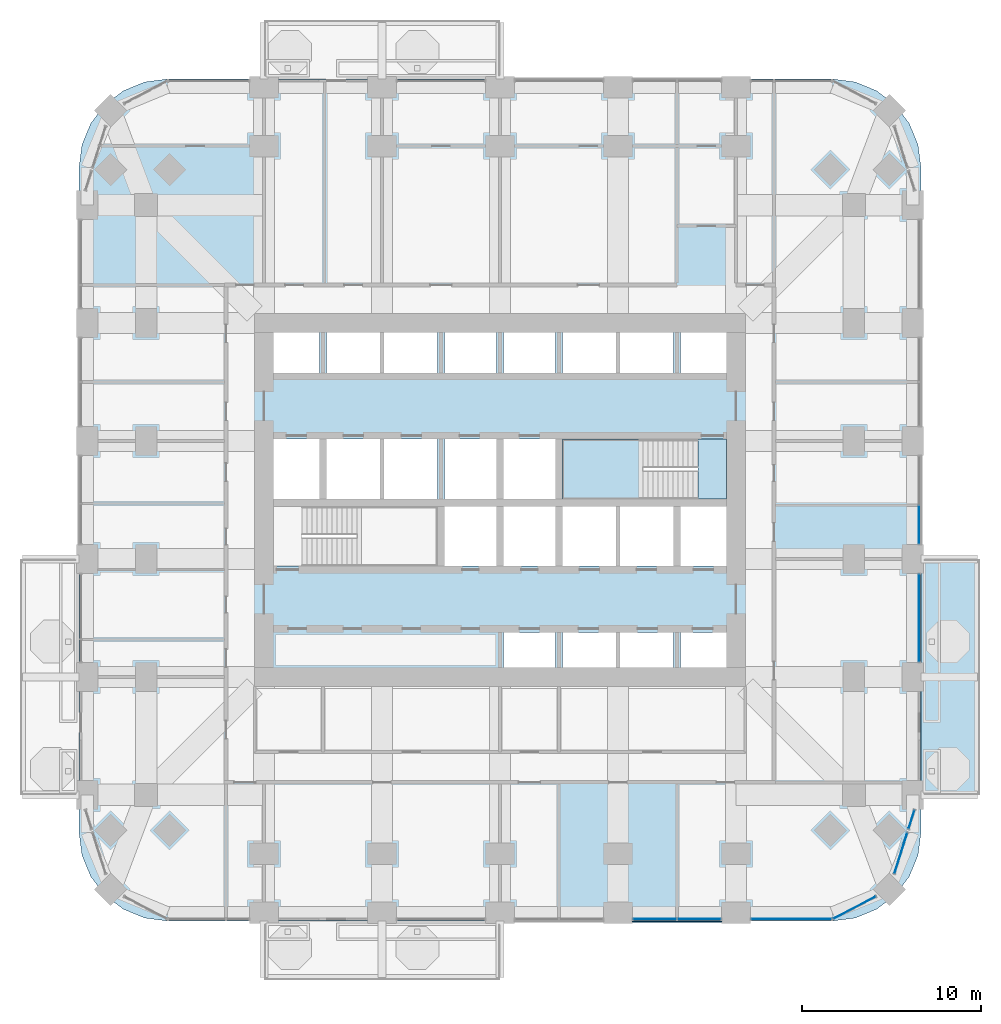
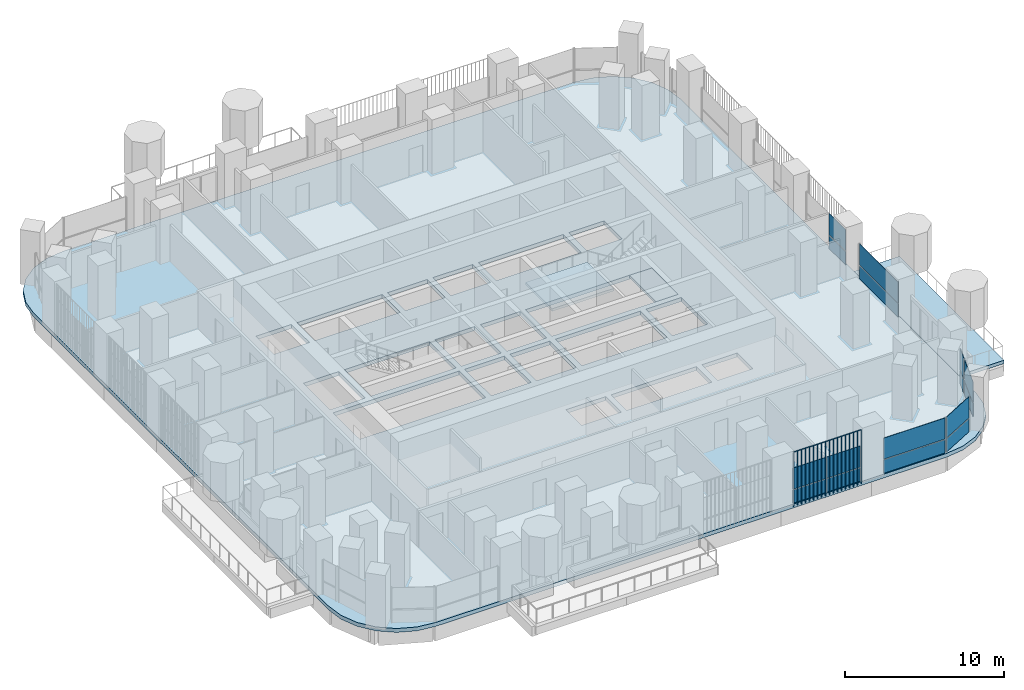
# One storey, part 9 of 21: 17 plates, 4 slabs, 8 elements without a shape of their own.
"""IFC4 building model written with IfcOpenShell, lengths in metres."""

import ifcopenshell
import ifcopenshell.guid

model = None  # the IFC model being written
_history = None  # IfcOwnerHistory: only IFC2X3 demands one
_inside = {}  # id of a spatial element -> (the spatial element, [elements in it])
_under = {}  # id of a project, library or spatial element -> (it, [spatial elements below it])
_declared = {}  # id of a project -> (the project, [libraries it declares])
_typed = {}  # id of a type object -> (the type object, [elements of that type])
_made_of = {}  # id of a material, layer set ... -> (it, [elements and type objects made of it])


def new_model(schema):
    """Start an empty IFC model of exactly this schema.

    Asked for "IFC4X3", IfcOpenShell would pick the latest addendum, in which some entities
    have other attributes; the version numbers below select the first issue.
    IFC2X3 requires an IfcOwnerHistory on every rooted entity: one is made here for all.
    """
    global model, _history
    if schema == "IFC4X3":
        model = ifcopenshell.file(schema_version=(4, 3, 0, 0))
    else:
        model = ifcopenshell.file(schema=schema)
    _inside.clear()
    _under.clear()
    _declared.clear()
    _typed.clear()
    _made_of.clear()
    _history = None
    if model.schema == "IFC2X3":
        org = make("IfcOrganization", Name="unknown")
        user = make(
            "IfcPersonAndOrganization",
            ThePerson=make("IfcPerson", FamilyName="unknown"),
            TheOrganization=org,
        )
        app = make(
            "IfcApplication",
            ApplicationDeveloper=org,
            Version="unknown",
            ApplicationFullName="unknown",
            ApplicationIdentifier="unknown",
        )
        _history = make(
            "IfcOwnerHistory",
            OwningUser=user,
            OwningApplication=app,
            ChangeAction="ADDED",
            CreationDate=0,
        )
    return model


def make(cls, **values):
    """One entity of the class cls with the attributes given. An attribute that is None is left unset."""
    return model.create_entity(
        cls, **{name: value for name, value in values.items() if value is not None}
    )


def rooted(cls, **values):
    """An entity with a GlobalId (a new one), such as an element, a storey or a relation."""
    return make(cls, GlobalId=ifcopenshell.guid.new(), OwnerHistory=_history, **values)


def si_unit(unit_type, name, prefix=None):
    """IfcSIUnit, for example si_unit("LENGTHUNIT", "METRE", prefix="MILLI")."""
    return make("IfcSIUnit", UnitType=unit_type, Prefix=prefix, Name=name)


def assignment(units):
    """IfcUnitAssignment: the units of a project."""
    return None if units is None else make("IfcUnitAssignment", Units=units)


def point(xyz):
    """IfcCartesianPoint."""
    return None if xyz is None else make("IfcCartesianPoint", Coordinates=xyz)


def direction(xyz):
    """IfcDirection."""
    return None if xyz is None else make("IfcDirection", DirectionRatios=xyz)


def frame(location, z_axis=None, x_axis=None):
    """IfcAxis2Placement3D, a coordinate frame: its origin and axes. An axis left out is left unset."""
    return make(
        "IfcAxis2Placement3D",
        Location=point(location),
        Axis=direction(z_axis),
        RefDirection=direction(x_axis),
    )


def frame_2d(location, x_axis=None):
    """IfcAxis2Placement2D, a coordinate frame in the plane: its origin and x axis."""
    return make(
        "IfcAxis2Placement2D", Location=point(location), RefDirection=direction(x_axis)
    )


def origin():
    """The frame at (0, 0, 0) with its axes left unset."""
    return frame((0.0, 0.0, 0.0))


def origin_2d():
    """The frame at (0, 0) in the plane with its x axis left unset."""
    return frame_2d((0.0, 0.0))


def place(relative_to, where):
    """IfcLocalPlacement: puts the frame where relative to a parent placement (None: the world)."""
    return make(
        "IfcLocalPlacement", PlacementRelTo=relative_to, RelativePlacement=where
    )


def context(
    kind, dimensions, precision=None, world=None, true_north=None, identifier=None
):
    """IfcGeometricRepresentationContext, for example the 3D "Model" context."""
    return make(
        "IfcGeometricRepresentationContext",
        ContextIdentifier=identifier,
        ContextType=kind,
        CoordinateSpaceDimension=dimensions,
        Precision=precision,
        WorldCoordinateSystem=world,
        TrueNorth=true_north,
    )


def subcontext(parent, identifier, kind, view, scale=None):
    """IfcGeometricRepresentationSubContext, for example "Body" below "Model"."""
    return make(
        "IfcGeometricRepresentationSubContext",
        ContextIdentifier=identifier,
        ContextType=kind,
        ParentContext=parent,
        TargetScale=scale,
        TargetView=view,
    )


def project(units=None, contexts=None):
    """IfcProject with its units and contexts."""
    return rooted(
        "IfcProject",
        Name="project",
        RepresentationContexts=contexts,
        UnitsInContext=assignment(units),
    )


def spatial(cls, under=None, at=None, **own):
    """A site, building, storey or space (cls), placed at a placement, below another one or the project."""
    s = rooted(cls, ObjectPlacement=at, **own)
    if under is not None:
        _under.setdefault(under.id(), (under, []))[1].append(s)
    return s


def polyline(points):
    """IfcPolyline through the points."""
    return make("IfcPolyline", Points=[point(p) for p in points])


def profile(cls, at=None, kind="AREA", **sizes):
    """A parametric profile (cls). Its sizes go by their IFC names, for example OverallWidth=200.0."""
    return make(cls, ProfileType=kind, Position=at, **sizes)


def rectangle(**sizes):
    """IfcRectangleProfileDef."""
    return profile("IfcRectangleProfileDef", **sizes)


def outline(outer, holes=None, kind="AREA"):
    """IfcArbitraryClosedProfileDef: a profile drawn as a closed curve; with holes, ...WithVoids."""
    if holes is None:
        return make("IfcArbitraryClosedProfileDef", ProfileType=kind, OuterCurve=outer)
    return make(
        "IfcArbitraryProfileDefWithVoids",
        ProfileType=kind,
        OuterCurve=outer,
        InnerCurves=holes,
    )


def extrude(swept, where, along, depth):
    """IfcExtrudedAreaSolid: the profile swept, set in the frame where, extruded along a direction by depth."""
    return make(
        "IfcExtrudedAreaSolid",
        SweptArea=swept,
        Position=where,
        ExtrudedDirection=direction(along),
        Depth=depth,
    )


def shape(context_of_items, identifier, shape_type, items):
    """IfcShapeRepresentation: the items that make up one representation, for example the "Body"."""
    return make(
        "IfcShapeRepresentation",
        ContextOfItems=context_of_items,
        RepresentationIdentifier=identifier,
        RepresentationType=shape_type,
        Items=items,
    )


def material(Name=None, Category=None):
    """IfcMaterial."""
    return make("IfcMaterial", Name=Name, Category=Category)


def layer(
    of_material, thickness, ventilated=None, Name=None, Category=None, Priority=None
):
    """IfcMaterialLayer: one layer of a wall or slab, of a material (None: an air gap)."""
    return make(
        "IfcMaterialLayer",
        Material=of_material,
        LayerThickness=thickness,
        IsVentilated=ventilated,
        Name=Name,
        Category=Category,
        Priority=Priority,
    )


def layer_set(layers, Name=None):
    """IfcMaterialLayerSet."""
    return make("IfcMaterialLayerSet", MaterialLayers=layers, LayerSetName=Name)


def made_of(thing, what):
    """Note that an element or type object is made of a material, layer set ...; save() writes the relation."""
    if what is not None:
        _made_of.setdefault(what.id(), (what, []))[1].append(thing)
    return thing


def type_object(cls, material=None, **own):
    """A type object (cls), such as IfcWallType, which elements share."""
    return made_of(rooted(cls, **own), material)


def element(
    cls,
    number,
    at=None,
    inside=None,
    cuts=None,
    type_object=None,
    material=None,
    context=None,
    identifier="Body",
    shape_type=None,
    held_by="IfcProductDefinitionShape",
    body=None,
    shapes=None,
    **own,
):
    """One element of the class cls, such as IfcWall. Its Tag is "e" and its number.

    at: its placement. inside: the storey or other place that contains it. cuts: it is an
    opening in that element (IfcRelVoidsElement). A single representation is given by context,
    identifier, shape_type and body (its items); several are given by shapes. held_by: the class
    of the entity that holds the representations. save() writes the other relations.
    """
    e = rooted(cls, Tag="e%d" % number, ObjectPlacement=at, **own)
    if body is not None:
        shapes = [shape(context, identifier, shape_type, body)]
    if shapes is not None:
        e.Representation = make(held_by, Representations=shapes)
    if inside is not None:
        _inside.setdefault(inside.id(), (inside, []))[1].append(e)
    if cuts is not None:
        rooted(
            "IfcRelVoidsElement", RelatingBuildingElement=cuts, RelatedOpeningElement=e
        )
    if type_object is not None:
        _typed.setdefault(type_object.id(), (type_object, []))[1].append(e)
    return made_of(e, material)


def aggregate(whole, parts):
    """IfcRelAggregates: a whole, such as a stair, and the parts it consists of."""
    return rooted("IfcRelAggregates", RelatingObject=whole, RelatedObjects=parts)


def save(model, path):
    """Write the relations noted so far, then the file.

    IfcRelAggregates (storeys below a building ...), IfcRelContainedInSpatialStructure (elements
    in a storey), IfcRelDefinesByType, IfcRelAssociatesMaterial and IfcRelDeclares: one each for
    every whole, place, type object, material and project.
    """
    for whole, parts in _under.values():
        aggregate(whole, parts)
    for where, things in _inside.values():
        rooted(
            "IfcRelContainedInSpatialStructure",
            RelatedElements=things,
            RelatingStructure=where,
        )
    for kind, things in _typed.values():
        rooted("IfcRelDefinesByType", RelatedObjects=things, RelatingType=kind)
    for what, things in _made_of.values():
        rooted("IfcRelAssociatesMaterial", RelatedObjects=things, RelatingMaterial=what)
    for by, libraries in _declared.values():
        rooted("IfcRelDeclares", RelatingContext=by, RelatedDefinitions=libraries)
    model.write(path)


model = new_model("IFC4")

# Units and contexts
model_context = context("Model", 3, precision=1e-05, world=origin(), true_north=direction((0.0, 1.0)))
body_context = subcontext(model_context, "Body", "Model", "MODEL_VIEW")
ifc_project = project(units=[si_unit("LENGTHUNIT", "METRE"), si_unit("AREAUNIT", "SQUARE_METRE"), si_unit("VOLUMEUNIT", "CUBIC_METRE"), si_unit("PLANEANGLEUNIT", "RADIAN"), si_unit("MASSUNIT", "GRAM", prefix="KILO")], contexts=[model_context])

# Site, building, storey
site_placement = place(None, origin())
site = spatial("IfcSite", under=ifc_project, at=site_placement, CompositionType="ELEMENT")
building_placement = place(site_placement, origin())
building = spatial("IfcBuilding", under=site, at=building_placement, Name="Cobogo Forest Laboratory Tower", CompositionType="ELEMENT")
storey_placement = place(building_placement, frame((0.0, 0.0, 107.39990234375)))
storey = spatial("IfcBuildingStorey", under=building, at=storey_placement, Name="L24", CompositionType="ELEMENT", Elevation=107.39990234375)

# Slabs
ifc_material_1 = material(Name="Concrete HA-40 (C40/50)", Category="concrete")
ifc_layer_1 = layer(ifc_material_1, 0.25)
ifc_layer_set_1 = layer_set([ifc_layer_1], Name="Balcony slab 250")
slab_type_1 = type_object("IfcSlabType", Name="Balcony slab 250", PredefinedType="FLOOR", material=ifc_layer_set_1)
slab_1_placement = place(storey_placement, frame((0.0, 0.0, -0.25)))
element("IfcSlab", 1, at=slab_1_placement, inside=storey, type_object=slab_type_1, Name="Balcony BAL-E1 L24", PredefinedType="FLOOR", context=body_context, shape_type="SweptSolid", body=[
    extrude(outline(polyline([(49.949951171875, 6.60009765625), (53.25, 6.60009765625), (53.25, 19.800048828125), (49.949951171875, 19.800048828125), (49.949951171875, 6.60009765625)])), origin(), (0.0, 0.0, 1.0), 0.25),
])
ifc_layer_2 = layer(ifc_material_1, 0.300048828125)
ifc_layer_set_2 = layer_set([ifc_layer_2], Name="Floor slab 300")
slab_type_2 = type_object("IfcSlabType", Name="Floor slab 300", PredefinedType="FLOOR", material=ifc_layer_set_2)
slab_2_placement = place(storey_placement, frame((0.0, 0.0, -0.2998046875)))
element("IfcSlab", 2, at=slab_2_placement, inside=storey, type_object=slab_type_2, Name="L24 floor slab", PredefinedType="FLOOR", context=body_context, shape_type="SweptSolid", body=[
    extrude(outline(polyline([(45.0, -0.449951171875), (46.28125, -0.28125), (47.47509765625, 0.213134765625), (48.500244140625, 0.999755859375), (49.286865234375, 2.02490234375), (49.78125, 3.21875), (49.949951171875, 4.5), (49.949951171875, 41.699951171875), (49.78125, 42.981201171875), (49.286865234375, 44.175048828125), (48.500244140625, 45.2001953125), (47.47509765625, 45.98681640625), (46.28125, 46.4814453125), (45.0, 46.64990234375), (7.800048828125, 46.64990234375), (6.518798828125, 46.4814453125), (5.324951171875, 45.98681640625), (4.2998046875, 45.2001953125), (3.51318359375, 44.175048828125), (3.0185546875, 42.981201171875), (2.85009765625, 41.699951171875), (2.85009765625, 4.5), (3.0185546875, 3.21875), (3.51318359375, 2.02490234375), (4.2998046875, 0.999755859375), (5.324951171875, 0.213134765625), (6.518798828125, -0.28125), (7.800048828125, -0.449951171875), (45.0, -0.449951171875)]), holes=[polyline([(29.5, 13.72509765625), (26.60009765625, 13.72509765625), (26.60009765625, 15.699951171875), (29.5, 15.699951171875), (29.5, 13.72509765625)]), polyline([(36.10009765625, 15.699951171875), (36.10009765625, 13.72509765625), (29.89990234375, 13.72509765625), (29.89990234375, 15.699951171875), (36.10009765625, 15.699951171875)]), polyline([(36.5, 13.72509765625), (36.5, 15.699951171875), (39.074951171875, 15.699951171875), (39.074951171875, 13.72509765625), (36.5, 13.72509765625)]), polyline([(13.72509765625, 19.39990234375), (13.72509765625, 22.75), (22.89990234375, 22.75), (22.89990234375, 19.39990234375), (13.72509765625, 19.39990234375)]), polyline([(23.300048828125, 19.39990234375), (23.300048828125, 22.75), (26.199951171875, 22.75), (26.199951171875, 19.39990234375), (23.300048828125, 19.39990234375)]), polyline([(29.5, 19.39990234375), (26.60009765625, 19.39990234375), (26.60009765625, 22.75), (29.5, 22.75), (29.5, 19.39990234375)]), polyline([(36.10009765625, 22.75), (36.10009765625, 19.39990234375), (29.89990234375, 19.39990234375), (29.89990234375, 22.75), (36.10009765625, 22.75)]), polyline([(39.074951171875, 19.39990234375), (36.5, 19.39990234375), (36.5, 22.75), (39.074951171875, 22.75), (39.074951171875, 19.39990234375)]), polyline([(16.300048828125, 23.14990234375), (13.72509765625, 23.14990234375), (13.72509765625, 26.5), (16.300048828125, 26.5), (16.300048828125, 23.14990234375)]), polyline([(22.89990234375, 26.5), (22.89990234375, 23.14990234375), (16.699951171875, 23.14990234375), (16.699951171875, 26.5), (22.89990234375, 26.5)]), polyline([(26.199951171875, 23.14990234375), (23.300048828125, 23.14990234375), (23.300048828125, 26.5), (26.199951171875, 26.5), (26.199951171875, 23.14990234375)]), polyline([(26.60009765625, 23.14990234375), (26.60009765625, 26.5), (29.5, 26.5), (29.5, 23.14990234375), (26.60009765625, 23.14990234375)]), polyline([(29.89990234375, 23.14990234375), (29.89990234375, 26.5), (39.074951171875, 26.5), (39.074951171875, 23.14990234375), (29.89990234375, 23.14990234375)]), polyline([(13.72509765625, 30.199951171875), (13.72509765625, 32.47509765625), (16.300048828125, 32.47509765625), (16.300048828125, 30.199951171875), (13.72509765625, 30.199951171875)]), polyline([(22.89990234375, 32.47509765625), (22.89990234375, 30.199951171875), (16.699951171875, 30.199951171875), (16.699951171875, 32.47509765625), (22.89990234375, 32.47509765625)]), polyline([(23.300048828125, 30.199951171875), (23.300048828125, 32.47509765625), (26.199951171875, 32.47509765625), (26.199951171875, 30.199951171875), (23.300048828125, 30.199951171875)]), polyline([(26.60009765625, 30.199951171875), (26.60009765625, 32.47509765625), (29.5, 32.47509765625), (29.5, 30.199951171875), (26.60009765625, 30.199951171875)]), polyline([(36.10009765625, 32.47509765625), (36.10009765625, 30.199951171875), (29.89990234375, 30.199951171875), (29.89990234375, 32.47509765625), (36.10009765625, 32.47509765625)]), polyline([(36.5, 30.199951171875), (36.5, 32.47509765625), (39.074951171875, 32.47509765625), (39.074951171875, 30.199951171875), (36.5, 30.199951171875)])]), origin(), (0.0, 0.0, 1.0), 0.2998046875),
])

# Curtain wall, plates
ifc_material_2 = material(Name="Aluminium curtain wall", Category="aluminium")
curtain_wall_type = type_object("IfcCurtainWallType", Name="CW-1 unitised curtain wall, clear glazing, laboratory floors zones A and B", PredefinedType="USERDEFINED", material=ifc_material_2)
curtain_wall_1_placement = place(storey_placement, origin())
curtain_wall_1 = element("IfcCurtainWall", 3, at=curtain_wall_1_placement, inside=storey, type_object=curtain_wall_type, Name="Curtain wall 05 L24", ObjectType="UNITISED CURTAIN WALL", PredefinedType="USERDEFINED")
ifc_material_3 = material(Name="Clear insulated glass", Category="glass")
ifc_layer_3 = layer(ifc_material_3, 0.028076171875)
ifc_layer_set_3 = layer_set([ifc_layer_3], Name="GP-1 clear insulated glass unit 28")
plate_type_1 = type_object("IfcPlateType", Name="GP-1 clear insulated glass unit 28", PredefinedType="CURTAIN_PANEL", material=ifc_layer_set_3)
plate_1_placement = place(storey_placement, frame((35.06494140625, -0.35009765625, 0.0), z_axis=(0.0, 0.0, 1.0), x_axis=(1.0, 0.0, 0.0)))
plate_1 = element("IfcPlate", 4, at=plate_1_placement, type_object=plate_type_1, Name="CW-1 panel 1.1", PredefinedType="CURTAIN_PANEL", context=body_context, shape_type="SweptSolid", body=[
    extrude(rectangle(XDim=2.409912109375, YDim=0.028076171875, at=origin_2d()), origin(), (0.0, 0.0, 1.0), 1.02001953125),
])
plate_2_placement = place(storey_placement, frame((35.06494140625, -0.35009765625, 1.080078125), z_axis=(0.0, 0.0, 1.0), x_axis=(1.0, 0.0, 0.0)))
plate_2 = element("IfcPlate", 5, at=plate_2_placement, type_object=plate_type_1, Name="CW-1 panel 1.2", PredefinedType="CURTAIN_PANEL", context=body_context, shape_type="SweptSolid", body=[
    extrude(rectangle(XDim=2.409912109375, YDim=0.028076171875, at=origin_2d()), origin(), (0.0, 0.0, 1.0), 1.6201171875),
])
plate_3_placement = place(storey_placement, frame((37.534912109375, -0.35009765625, 0.0), z_axis=(0.0, 0.0, 1.0), x_axis=(1.0, 0.0, 0.0)))
plate_3 = element("IfcPlate", 6, at=plate_3_placement, type_object=plate_type_1, Name="CW-1 panel 2.1", PredefinedType="CURTAIN_PANEL", context=body_context, shape_type="SweptSolid", body=[
    extrude(rectangle(XDim=2.409912109375, YDim=0.028076171875, at=origin_2d()), origin(), (0.0, 0.0, 1.0), 1.02001953125),
])
plate_4_placement = place(storey_placement, frame((37.534912109375, -0.35009765625, 1.080078125), z_axis=(0.0, 0.0, 1.0), x_axis=(1.0, 0.0, 0.0)))
plate_4 = element("IfcPlate", 7, at=plate_4_placement, type_object=plate_type_1, Name="CW-1 panel 2.2", PredefinedType="CURTAIN_PANEL", context=body_context, shape_type="SweptSolid", body=[
    extrude(rectangle(XDim=2.409912109375, YDim=0.028076171875, at=origin_2d()), origin(), (0.0, 0.0, 1.0), 1.6201171875),
])
aggregate(curtain_wall_1, [plate_1, plate_2, plate_3, plate_4])

curtain_wall_2_placement = place(storey_placement, origin())
curtain_wall_2 = element("IfcCurtainWall", 8, at=curtain_wall_2_placement, inside=storey, type_object=curtain_wall_type, Name="Curtain wall 06 L24", ObjectType="UNITISED CURTAIN WALL", PredefinedType="USERDEFINED")
plate_5_placement = place(storey_placement, frame((42.699951171875, -0.35009765625, 0.0), z_axis=(0.0, 0.0, 1.0), x_axis=(1.0, 0.0, 0.0)))
plate_5 = element("IfcPlate", 9, at=plate_5_placement, type_object=plate_type_1, Name="CW-1 panel 1.1", PredefinedType="CURTAIN_PANEL", context=body_context, shape_type="SweptSolid", body=[
    extrude(rectangle(XDim=4.47998046875, YDim=0.028076171875, at=origin_2d()), origin(), (0.0, 0.0, 1.0), 1.02001953125),
])
plate_6_placement = place(storey_placement, frame((42.699951171875, -0.35009765625, 1.080078125), z_axis=(0.0, 0.0, 1.0), x_axis=(1.0, 0.0, 0.0)))
plate_6 = element("IfcPlate", 10, at=plate_6_placement, type_object=plate_type_1, Name="CW-1 panel 1.2", PredefinedType="CURTAIN_PANEL", context=body_context, shape_type="SweptSolid", body=[
    extrude(rectangle(XDim=4.47998046875, YDim=0.028076171875, at=origin_2d()), origin(), (0.0, 0.0, 1.0), 1.6201171875),
])
aggregate(curtain_wall_2, [plate_5, plate_6])

curtain_wall_3_placement = place(storey_placement, origin())
curtain_wall_3 = element("IfcCurtainWall", 11, at=curtain_wall_3_placement, inside=storey, type_object=curtain_wall_type, Name="Curtain wall 07 L24", ObjectType="UNITISED CURTAIN WALL", PredefinedType="USERDEFINED")
plate_7_placement = place(storey_placement, frame((46.229248046875, 0.29443359375, 0.0), z_axis=(0.0, 0.0, 1.0), x_axis=(0.885686547075, 0.464283685186, 0.0)))
plate_7 = element("IfcPlate", 12, at=plate_7_placement, type_object=plate_type_1, Name="CW-1 panel 1.1", PredefinedType="CURTAIN_PANEL", context=body_context, shape_type="SweptSolid", body=[
    extrude(rectangle(XDim=2.655517578125, YDim=0.028076171875, at=origin_2d()), origin(), (0.0, 0.0, 1.0), 1.02001953125),
])
plate_8_placement = place(storey_placement, frame((46.229248046875, 0.29443359375, 1.080078125), z_axis=(0.0, 0.0, 1.0), x_axis=(0.885686547075, 0.464283685186, 0.0)))
plate_8 = element("IfcPlate", 13, at=plate_8_placement, type_object=plate_type_1, Name="CW-1 panel 1.2", PredefinedType="CURTAIN_PANEL", context=body_context, shape_type="SweptSolid", body=[
    extrude(rectangle(XDim=2.655517578125, YDim=0.028076171875, at=origin_2d()), origin(), (0.0, 0.0, 1.0), 1.6201171875),
])
aggregate(curtain_wall_3, [plate_7, plate_8])

curtain_wall_4_placement = place(storey_placement, origin())
curtain_wall_4 = element("IfcCurtainWall", 14, at=curtain_wall_4_placement, inside=storey, type_object=curtain_wall_type, Name="Curtain wall 08 L24", ObjectType="UNITISED CURTAIN WALL", PredefinedType="USERDEFINED")
plate_9_placement = place(storey_placement, frame((48.8212890625, 3.342529296875, 0.0), z_axis=(0.0, 0.0, 1.0), x_axis=(0.301135291996, 0.953581425949, 0.0)))
plate_9 = element("IfcPlate", 15, at=plate_9_placement, type_object=plate_type_1, Name="CW-1 panel 1.1", PredefinedType="CURTAIN_PANEL", context=body_context, shape_type="SweptSolid", body=[
    extrude(rectangle(XDim=2.3681640625, YDim=0.028076171875, at=origin_2d()), origin(), (0.0, 0.0, 1.0), 1.02001953125),
])
plate_10_placement = place(storey_placement, frame((48.8212890625, 3.342529296875, 1.080078125), z_axis=(0.0, 0.0, 1.0), x_axis=(0.301135291996, 0.953581425949, 0.0)))
plate_10 = element("IfcPlate", 16, at=plate_10_placement, type_object=plate_type_1, Name="CW-1 panel 1.2", PredefinedType="CURTAIN_PANEL", context=body_context, shape_type="SweptSolid", body=[
    extrude(rectangle(XDim=2.3681640625, YDim=0.028076171875, at=origin_2d()), origin(), (0.0, 0.0, 1.0), 1.6201171875),
])
aggregate(curtain_wall_4, [plate_9, plate_10])

curtain_wall_5_placement = place(storey_placement, origin())
curtain_wall_5 = element("IfcCurtainWall", 17, at=curtain_wall_5_placement, inside=storey, type_object=curtain_wall_type, Name="Curtain wall 09 L24", ObjectType="UNITISED CURTAIN WALL", PredefinedType="USERDEFINED")
plate_11_placement = place(storey_placement, frame((49.41796875, 5.232177734375, 0.0), z_axis=(0.0, 0.0, 1.0), x_axis=(0.301135667865, 0.953581307252, 0.0)))
plate_11 = element("IfcPlate", 18, at=plate_11_placement, type_object=plate_type_1, Name="CW-1 panel 1.1", PredefinedType="CURTAIN_PANEL", context=body_context, shape_type="SweptSolid", body=[
    extrude(rectangle(XDim=1.071044921875, YDim=0.028076171875, at=origin_2d()), origin(), (0.0, 0.0, 1.0), 1.02001953125),
])
plate_12_placement = place(storey_placement, frame((49.41796875, 5.232177734375, 1.080078125), z_axis=(0.0, 0.0, 1.0), x_axis=(0.301135667865, 0.953581307252, 0.0)))
plate_12 = element("IfcPlate", 19, at=plate_12_placement, type_object=plate_type_1, Name="CW-1 panel 1.2", PredefinedType="CURTAIN_PANEL", context=body_context, shape_type="SweptSolid", body=[
    extrude(rectangle(XDim=1.071044921875, YDim=0.028076171875, at=origin_2d()), origin(), (0.0, 0.0, 1.0), 1.6201171875),
])
aggregate(curtain_wall_5, [plate_11, plate_12])

curtain_wall_6_placement = place(storey_placement, origin())
curtain_wall_6 = element("IfcCurtainWall", 20, at=curtain_wall_6_placement, inside=storey, type_object=curtain_wall_type, Name="Curtain wall 11 L24", ObjectType="UNITISED CURTAIN WALL", PredefinedType="USERDEFINED")
plate_13_placement = place(storey_placement, frame((49.85009765625, 16.5, 0.0), z_axis=(0.0, 0.0, 1.0), x_axis=(0.0, 1.0, 0.0)))
plate_13 = element("IfcPlate", 21, at=plate_13_placement, type_object=plate_type_1, Name="CW-1 panel 1.1", PredefinedType="CURTAIN_PANEL", context=body_context, shape_type="SweptSolid", body=[
    extrude(rectangle(XDim=4.8798828125, YDim=0.028076171875, at=origin_2d()), origin(), (0.0, 0.0, 1.0), 1.02001953125),
])
plate_14_placement = place(storey_placement, frame((49.85009765625, 16.5, 1.080078125), z_axis=(0.0, 0.0, 1.0), x_axis=(0.0, 1.0, 0.0)))
plate_14 = element("IfcPlate", 22, at=plate_14_placement, type_object=plate_type_1, Name="CW-1 panel 1.2", PredefinedType="CURTAIN_PANEL", context=body_context, shape_type="SweptSolid", body=[
    extrude(rectangle(XDim=4.8798828125, YDim=0.028076171875, at=origin_2d()), origin(), (0.0, 0.0, 1.0), 1.6201171875),
])
aggregate(curtain_wall_6, [plate_13, plate_14])

curtain_wall_7_placement = place(storey_placement, origin())
curtain_wall_7 = element("IfcCurtainWall", 23, at=curtain_wall_7_placement, inside=storey, type_object=curtain_wall_type, Name="Curtain wall 12 L24", ObjectType="UNITISED CURTAIN WALL", PredefinedType="USERDEFINED")
plate_15_placement = place(storey_placement, frame((49.85009765625, 21.715087890625, 0.0), z_axis=(0.0, 0.0, 1.0), x_axis=(0.0, 1.0, 0.0)))
plate_15 = element("IfcPlate", 24, at=plate_15_placement, type_object=plate_type_1, Name="CW-1 panel 1.1", PredefinedType="CURTAIN_PANEL", context=body_context, shape_type="SweptSolid", body=[
    extrude(rectangle(XDim=2.110107421875, YDim=0.028076171875, at=origin_2d()), origin(), (0.0, 0.0, 1.0), 1.02001953125),
])
plate_16_placement = place(storey_placement, frame((49.85009765625, 21.715087890625, 1.080078125), z_axis=(0.0, 0.0, 1.0), x_axis=(0.0, 1.0, 0.0)))
plate_16 = element("IfcPlate", 25, at=plate_16_placement, type_object=plate_type_1, Name="CW-1 panel 1.2", PredefinedType="CURTAIN_PANEL", context=body_context, shape_type="SweptSolid", body=[
    extrude(rectangle(XDim=2.110107421875, YDim=0.028076171875, at=origin_2d()), origin(), (0.0, 0.0, 1.0), 1.6201171875),
])
aggregate(curtain_wall_7, [plate_15, plate_16])

# Stair, slabs
ifc_material_4 = material(Name="Precast concrete HA-40 (C40/50)", Category="concrete")
stair_type = type_object("IfcStairType", Name="ST24 exit stair 24 risers", PredefinedType="HALF_TURN_STAIR", material=ifc_material_4)
stair_placement = place(storey_placement, origin())
stair = element("IfcStair", 26, at=stair_placement, inside=storey, type_object=stair_type, Name="Stair 2 L24 to L25", PredefinedType="HALF_TURN_STAIR")
ifc_layer_4 = layer(ifc_material_1, 0.199951171875)
ifc_layer_set_4 = layer_set([ifc_layer_4], Name="SL stair landing 200")
slab_type_3 = type_object("IfcSlabType", Name="SL stair landing 200", PredefinedType="LANDING", material=ifc_layer_set_4)
slab_3_placement = place(storey_placement, frame((0.0, 0.0, -0.199951171875)))
slab_3 = element("IfcSlab", 27, at=slab_3_placement, type_object=slab_type_3, Name="ST2 landing 1", PredefinedType="LANDING", context=body_context, shape_type="SweptSolid", body=[
    extrude(outline(polyline([(37.472900390625, 23.14990234375), (39.074951171875, 23.14990234375), (39.074951171875, 26.5), (37.472900390625, 26.5), (37.472900390625, 23.14990234375)])), origin(), (0.0, 0.0, 1.0), 0.199951171875),
])
slab_4_placement = place(storey_placement, frame((0.0, 0.0, 1.900146484375)))
slab_4 = element("IfcSlab", 28, at=slab_4_placement, type_object=slab_type_3, Name="ST2 landing 2", PredefinedType="LANDING", context=body_context, shape_type="SweptSolid", body=[
    extrude(outline(polyline([(29.89990234375, 23.14990234375), (34.39697265625, 23.14990234375), (34.39697265625, 26.5), (29.89990234375, 26.5), (29.89990234375, 23.14990234375)])), origin(), (0.0, 0.0, 1.0), 0.199951171875),
])
aggregate(stair, [slab_3, slab_4])

# Plate
ifc_material_5 = material(Name="Terracotta", Category="masonry")
plate_type_2 = type_object("IfcPlateType", Name="TB1 terracotta baguette screen", PredefinedType="USERDEFINED", material=ifc_material_5)
plate_17_placement = place(storey_placement, frame((33.831298828125, -0.477783203125, -0.14990234375)))
element("IfcPlate", 29, at=plate_17_placement, inside=storey, type_object=plate_type_2, Name="Baguette screen S4 L24", ObjectType="BAGUETTE SCREEN", PredefinedType="USERDEFINED", context=body_context, shape_type="SweptSolid", body=[
    extrude(outline(polyline([(0.02880859375, 0.011962890625), (0.011962890625, 0.02880859375), (-0.011962890625, 0.02880859375), (-0.02880859375, 0.011962890625), (-0.02880859375, -0.011962890625), (-0.011962890625, -0.02880859375), (0.011962890625, -0.02880859375), (0.02880859375, -0.011962890625), (0.02880859375, 0.011962890625)])), frame((0.0, 0.0, 4.168701171875), z_axis=(1.0, 0.0, 0.0), x_axis=(0.0, 1.0, 0.0)), (0.0, 0.0, 1.0), 4.9375),
    extrude(outline(polyline([(0.02880859375, 0.011962890625), (0.011962890625, 0.02880859375), (-0.011962890625, 0.02880859375), (-0.02880859375, 0.011962890625), (-0.02880859375, -0.011962890625), (-0.011962890625, -0.02880859375), (0.011962890625, -0.02880859375), (0.02880859375, -0.011962890625), (0.02880859375, 0.011962890625)])), origin(), (0.0, 0.0, 1.0), 4.137451171875),
    extrude(outline(polyline([(0.02880859375, 0.011962890625), (0.011962890625, 0.02880859375), (-0.011962890625, 0.02880859375), (-0.02880859375, 0.011962890625), (-0.02880859375, -0.011962890625), (-0.011962890625, -0.02880859375), (0.011962890625, -0.02880859375), (0.02880859375, -0.011962890625), (0.02880859375, 0.011962890625)])), frame((0.29052734375, 0.0, 0.0)), (0.0, 0.0, 1.0), 4.137451171875),
    extrude(outline(polyline([(0.02880859375, 0.011962890625), (0.011962890625, 0.02880859375), (-0.011962890625, 0.02880859375), (-0.02880859375, 0.011962890625), (-0.02880859375, -0.011962890625), (-0.011962890625, -0.02880859375), (0.011962890625, -0.02880859375), (0.02880859375, -0.011962890625), (0.02880859375, 0.011962890625)])), frame((0.580810546875, 0.0, 0.0)), (0.0, 0.0, 1.0), 4.137451171875),
    extrude(outline(polyline([(0.02880859375, 0.011962890625), (0.011962890625, 0.02880859375), (-0.011962890625, 0.02880859375), (-0.02880859375, 0.011962890625), (-0.02880859375, -0.011962890625), (-0.011962890625, -0.02880859375), (0.011962890625, -0.02880859375), (0.02880859375, -0.011962890625), (0.02880859375, 0.011962890625)])), frame((0.871337890625, 0.0, 0.0)), (0.0, 0.0, 1.0), 4.137451171875),
    extrude(outline(polyline([(0.02880859375, 0.011962890625), (0.011962890625, 0.02880859375), (-0.011962890625, 0.02880859375), (-0.02880859375, 0.011962890625), (-0.02880859375, -0.011962890625), (-0.011962890625, -0.02880859375), (0.011962890625, -0.02880859375), (0.02880859375, -0.011962890625), (0.02880859375, 0.011962890625)])), frame((1.161865234375, 0.0, 0.0)), (0.0, 0.0, 1.0), 4.137451171875),
    extrude(outline(polyline([(0.02880859375, 0.011962890625), (0.011962890625, 0.02880859375), (-0.011962890625, 0.02880859375), (-0.02880859375, 0.011962890625), (-0.02880859375, -0.011962890625), (-0.011962890625, -0.02880859375), (0.011962890625, -0.02880859375), (0.02880859375, -0.011962890625), (0.02880859375, 0.011962890625)])), frame((1.4521484375, 0.0, 0.0)), (0.0, 0.0, 1.0), 4.137451171875),
    extrude(outline(polyline([(0.02880859375, 0.011962890625), (0.011962890625, 0.02880859375), (-0.011962890625, 0.02880859375), (-0.02880859375, 0.011962890625), (-0.02880859375, -0.011962890625), (-0.011962890625, -0.02880859375), (0.011962890625, -0.02880859375), (0.02880859375, -0.011962890625), (0.02880859375, 0.011962890625)])), frame((1.74267578125, 0.0, 0.0)), (0.0, 0.0, 1.0), 4.137451171875),
    extrude(outline(polyline([(0.02880859375, 0.011962890625), (0.011962890625, 0.02880859375), (-0.011962890625, 0.02880859375), (-0.02880859375, 0.011962890625), (-0.02880859375, -0.011962890625), (-0.011962890625, -0.02880859375), (0.011962890625, -0.02880859375), (0.02880859375, -0.011962890625), (0.02880859375, 0.011962890625)])), frame((2.033203125, 0.0, 0.0)), (0.0, 0.0, 1.0), 4.137451171875),
    extrude(outline(polyline([(0.02880859375, 0.011962890625), (0.011962890625, 0.02880859375), (-0.011962890625, 0.02880859375), (-0.02880859375, 0.011962890625), (-0.02880859375, -0.011962890625), (-0.011962890625, -0.02880859375), (0.011962890625, -0.02880859375), (0.02880859375, -0.011962890625), (0.02880859375, 0.011962890625)])), frame((2.323486328125, 0.0, 0.0)), (0.0, 0.0, 1.0), 4.137451171875),
    extrude(outline(polyline([(0.02880859375, 0.011962890625), (0.011962890625, 0.02880859375), (-0.011962890625, 0.02880859375), (-0.02880859375, 0.011962890625), (-0.02880859375, -0.011962890625), (-0.011962890625, -0.02880859375), (0.011962890625, -0.02880859375), (0.02880859375, -0.011962890625), (0.02880859375, 0.011962890625)])), frame((2.614013671875, 0.0, 0.0)), (0.0, 0.0, 1.0), 4.137451171875),
    extrude(outline(polyline([(0.02880859375, 0.011962890625), (0.011962890625, 0.02880859375), (-0.011962890625, 0.02880859375), (-0.02880859375, 0.011962890625), (-0.02880859375, -0.011962890625), (-0.011962890625, -0.02880859375), (0.011962890625, -0.02880859375), (0.02880859375, -0.011962890625), (0.02880859375, 0.011962890625)])), frame((2.904296875, 0.0, 0.0)), (0.0, 0.0, 1.0), 4.137451171875),
    extrude(outline(polyline([(0.02880859375, 0.011962890625), (0.011962890625, 0.02880859375), (-0.011962890625, 0.02880859375), (-0.02880859375, 0.011962890625), (-0.02880859375, -0.011962890625), (-0.011962890625, -0.02880859375), (0.011962890625, -0.02880859375), (0.02880859375, -0.011962890625), (0.02880859375, 0.011962890625)])), frame((3.19482421875, 0.0, 0.0)), (0.0, 0.0, 1.0), 4.137451171875),
    extrude(outline(polyline([(0.02880859375, 0.011962890625), (0.011962890625, 0.02880859375), (-0.011962890625, 0.02880859375), (-0.02880859375, 0.011962890625), (-0.02880859375, -0.011962890625), (-0.011962890625, -0.02880859375), (0.011962890625, -0.02880859375), (0.02880859375, -0.011962890625), (0.02880859375, 0.011962890625)])), frame((3.4853515625, 0.0, 0.0)), (0.0, 0.0, 1.0), 4.137451171875),
    extrude(outline(polyline([(0.02880859375, 0.011962890625), (0.011962890625, 0.02880859375), (-0.011962890625, 0.02880859375), (-0.02880859375, 0.011962890625), (-0.02880859375, -0.011962890625), (-0.011962890625, -0.02880859375), (0.011962890625, -0.02880859375), (0.02880859375, -0.011962890625), (0.02880859375, 0.011962890625)])), frame((3.775634765625, 0.0, 0.0)), (0.0, 0.0, 1.0), 4.137451171875),
    extrude(outline(polyline([(0.02880859375, 0.011962890625), (0.011962890625, 0.02880859375), (-0.011962890625, 0.02880859375), (-0.02880859375, 0.011962890625), (-0.02880859375, -0.011962890625), (-0.011962890625, -0.02880859375), (0.011962890625, -0.02880859375), (0.02880859375, -0.011962890625), (0.02880859375, 0.011962890625)])), frame((4.066162109375, 0.0, 0.0)), (0.0, 0.0, 1.0), 4.137451171875),
    extrude(outline(polyline([(0.02880859375, 0.011962890625), (0.011962890625, 0.02880859375), (-0.011962890625, 0.02880859375), (-0.02880859375, 0.011962890625), (-0.02880859375, -0.011962890625), (-0.011962890625, -0.02880859375), (0.011962890625, -0.02880859375), (0.02880859375, -0.011962890625), (0.02880859375, 0.011962890625)])), frame((4.356689453125, 0.0, 0.0)), (0.0, 0.0, 1.0), 4.137451171875),
    extrude(outline(polyline([(0.02880859375, 0.011962890625), (0.011962890625, 0.02880859375), (-0.011962890625, 0.02880859375), (-0.02880859375, 0.011962890625), (-0.02880859375, -0.011962890625), (-0.011962890625, -0.02880859375), (0.011962890625, -0.02880859375), (0.02880859375, -0.011962890625), (0.02880859375, 0.011962890625)])), frame((4.64697265625, 0.0, 0.0)), (0.0, 0.0, 1.0), 4.137451171875),
    extrude(outline(polyline([(0.02880859375, 0.011962890625), (0.011962890625, 0.02880859375), (-0.011962890625, 0.02880859375), (-0.02880859375, 0.011962890625), (-0.02880859375, -0.011962890625), (-0.011962890625, -0.02880859375), (0.011962890625, -0.02880859375), (0.02880859375, -0.011962890625), (0.02880859375, 0.011962890625)])), frame((4.9375, 0.0, 0.0)), (0.0, 0.0, 1.0), 4.137451171875),
])

save(model, "model.ifc")
